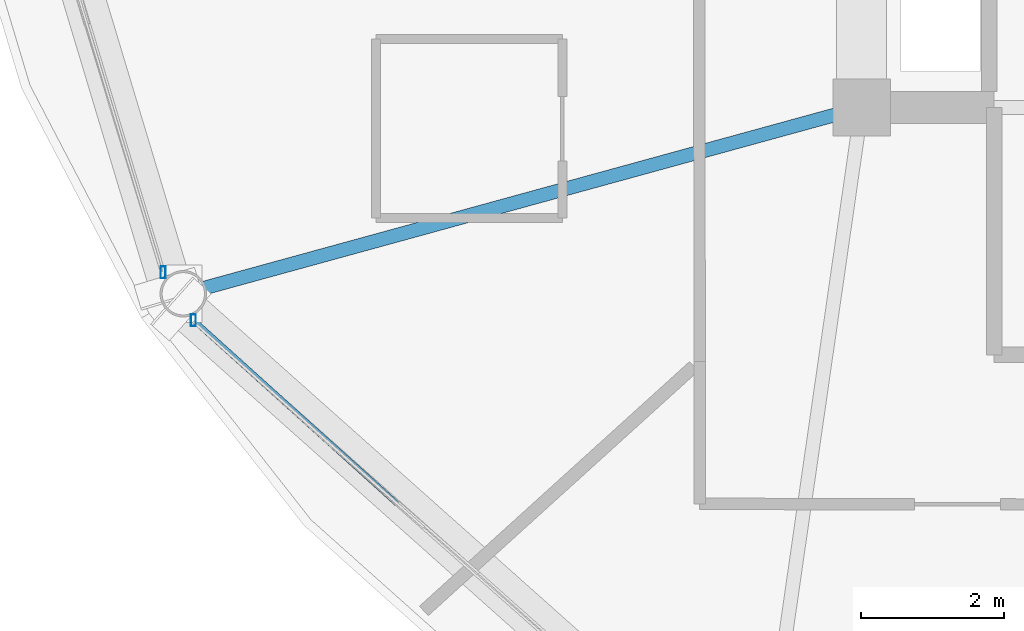
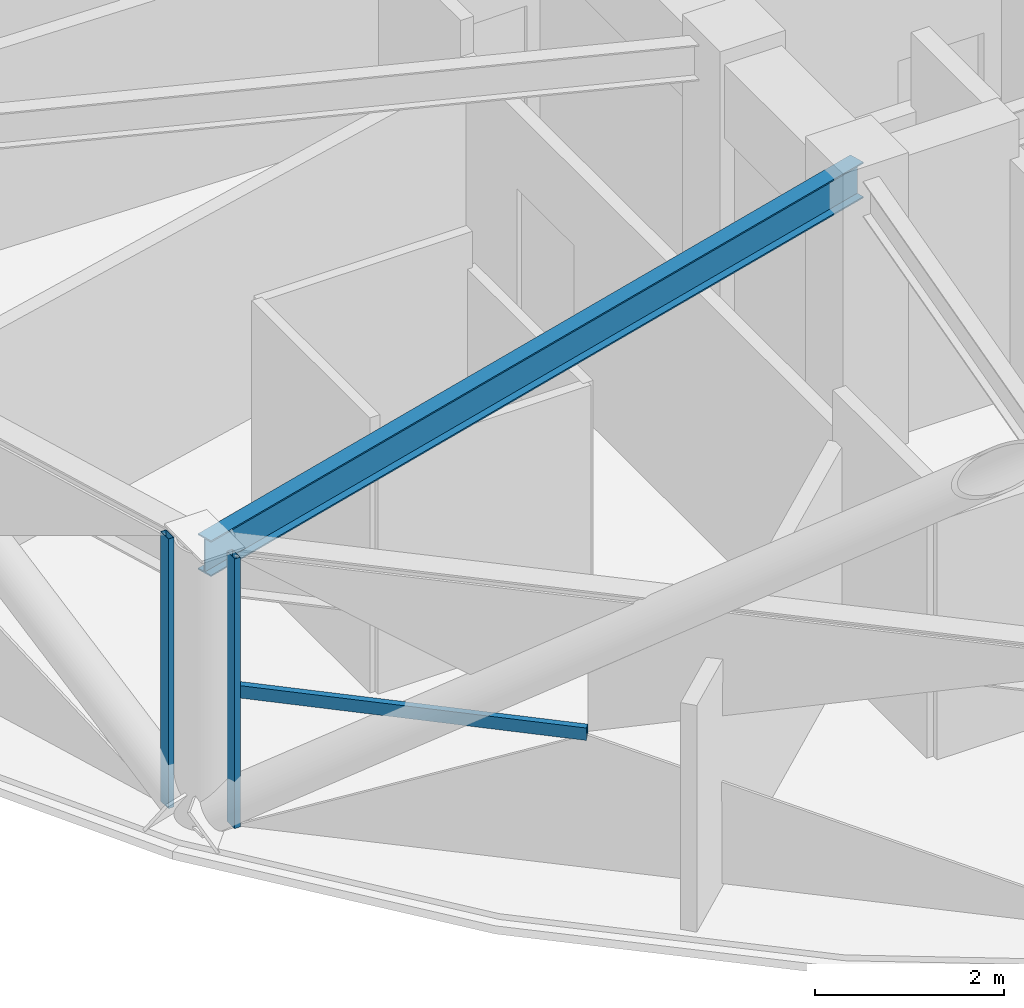
# One storey, part 3 of 29: 3 members, 1 beam, 2 elements without a shape of their own.
"""IFC4 building model written with IfcOpenShell, lengths in metres."""

from ifc_helpers import new_model, si_unit, direction, frame, origin, origin_2d, place, context, subcontext, project, spatial, hollow_rectangle, i_section, extrude, material, layer, layer_set, material_profile, profile_set, type_object, element, aggregate, save


model = new_model("IFC4")

# Units and contexts
model_context = context("Model", 3, precision=1e-05, world=origin(), true_north=direction((0.0, 1.0)))
body_context = subcontext(model_context, "Body", "Model", "MODEL_VIEW")
ifc_project = project(units=[si_unit("LENGTHUNIT", "METRE"), si_unit("AREAUNIT", "SQUARE_METRE"), si_unit("VOLUMEUNIT", "CUBIC_METRE"), si_unit("PLANEANGLEUNIT", "RADIAN"), si_unit("MASSUNIT", "GRAM", prefix="KILO")], contexts=[model_context])

# Site, building, storey
site_placement = place(None, origin())
site = spatial("IfcSite", under=ifc_project, at=site_placement, CompositionType="ELEMENT")
building_placement = place(site_placement, origin())
building = spatial("IfcBuilding", under=site, at=building_placement, Name="Vantalir Tower", CompositionType="ELEMENT")
storey_placement = place(building_placement, frame((0.0, 0.0, 219.89990234375)))
storey = spatial("IfcBuildingStorey", under=building, at=storey_placement, Name="L55", CompositionType="ELEMENT", Elevation=219.89990234375)

# Beam
ifc_material_1 = material(Name="Steel S355", Category="steel")
ifc_material_profile_1 = material_profile(ifc_material_1, i_section(OverallWidth=0.19189453125, OverallDepth=0.462890625, WebThickness=0.010498046875, FlangeThickness=0.017578125, at=origin_2d()), Name="Steel S355")
ifc_profile_set_1 = profile_set([ifc_material_profile_1], Name="Steel S355")
beam_type = type_object("IfcBeamType", Name="BM-RB-457x191", PredefinedType="BEAM", material=ifc_profile_set_1)
beam_placement = place(storey_placement, frame((12.43603515625, 15.201904296875, 3.338134765625), z_axis=(0.964320419913, 0.264737847196, 0.0), x_axis=(-0.264737847196, 0.964320419913, 0.0)))
element("IfcBeam", 1, at=beam_placement, inside=storey, type_object=beam_type, Name="L55 Radial Floor Beam 08", PredefinedType="BEAM", context=body_context, shape_type="SweptSolid", body=[
    extrude(i_section(OverallWidth=0.19189453125, OverallDepth=0.462890625, WebThickness=0.010498046875, FlangeThickness=0.017578125, at=origin_2d()), origin(), (0.0, 0.0, 1.0), 9.81396484375),
])

# Curtain wall, member
ifc_material_2 = material(Name="Champagne-silver PVDF aluminium and double-silver Low-E glass", Category="aluminium")
ifc_layer = layer(ifc_material_2, 0.2099609375)
ifc_layer_set = layer_set([ifc_layer], Name="Champagne-silver PVDF aluminium and double-silver Low-E glass")
curtain_wall_type = type_object("IfcCurtainWallType", Name="CW-DIAMOND-Z3", PredefinedType="USERDEFINED", material=ifc_layer_set)
curtain_wall_1_placement = place(storey_placement, origin())
curtain_wall_1 = element("IfcCurtainWall", 2, at=curtain_wall_1_placement, inside=storey, type_object=curtain_wall_type, Name="L55 Quilted Pyramid-Diamond Curtain Wall S07", ObjectType="UNITISED CURTAIN WALL", PredefinedType="USERDEFINED")
ifc_material_3 = material(Name="Champagne-silver PVDF aluminium 6063-T6", Category="aluminium")
ifc_material_profile_2 = material_profile(ifc_material_3, hollow_rectangle(XDim=0.070068359375, YDim=0.1650390625, WallThickness=0.00390625, at=origin_2d()), Name="Champagne-silver PVDF aluminium 6063-T6")
ifc_profile_set_2 = profile_set([ifc_material_profile_2], Name="Champagne-silver PVDF aluminium 6063-T6")
member_type_1 = type_object("IfcMemberType", Name="CWM-165x70", PredefinedType="MULLION", material=ifc_profile_set_2)
member_1_placement = place(storey_placement, frame((12.154052734375, 15.5, 0.045166015625), z_axis=(0.0, 0.0, 1.0), x_axis=(1.0, 0.0, 0.0)))
member_1 = element("IfcMember", 3, at=member_1_placement, type_object=member_type_1, Name="CW-L55-S07 Mullion 2", PredefinedType="MULLION", context=body_context, shape_type="SweptSolid", body=[
    extrude(hollow_rectangle(XDim=0.070068359375, YDim=0.1650390625, WallThickness=0.00390625, at=origin_2d()), origin(), (0.0, 0.0, 1.0), 3.47998046875),
])
aggregate(curtain_wall_1, [member_1])

# Curtain wall, members
curtain_wall_2_placement = place(storey_placement, origin())
curtain_wall_2 = element("IfcCurtainWall", 4, at=curtain_wall_2_placement, inside=storey, type_object=curtain_wall_type, Name="L55 Quilted Pyramid-Diamond Curtain Wall S08", ObjectType="UNITISED CURTAIN WALL", PredefinedType="USERDEFINED")
member_2_placement = place(storey_placement, frame((12.577880859375, 14.833984375, 0.045166015625), z_axis=(0.0, 0.0, 1.0), x_axis=(1.0, 0.0, 0.0)))
member_2 = element("IfcMember", 5, at=member_2_placement, type_object=member_type_1, Name="CW-L55-S08 Mullion 1", PredefinedType="MULLION", context=body_context, shape_type="SweptSolid", body=[
    extrude(hollow_rectangle(XDim=0.070068359375, YDim=0.1650390625, WallThickness=0.00390625, at=origin_2d()), origin(), (0.0, 0.0, 1.0), 3.47998046875),
])
ifc_material_profile_3 = material_profile(ifc_material_3, hollow_rectangle(XDim=0.074951171875, YDim=0.159912109375, WallThickness=0.00390625, at=origin_2d()), Name="Champagne-silver PVDF aluminium 6063-T6")
ifc_profile_set_3 = profile_set([ifc_material_profile_3], Name="Champagne-silver PVDF aluminium 6063-T6")
member_type_2 = type_object("IfcMemberType", Name="CWT-160x75", PredefinedType="USERDEFINED", material=ifc_profile_set_3)
member_3_placement = place(storey_placement, frame((12.577880859375, 14.833984375, 1.78515625), z_axis=(0.742559753379, -0.669779824018, 0.0), x_axis=(0.669779824018, 0.742559753379, 0.0)))
member_3 = element("IfcMember", 6, at=member_3_placement, type_object=member_type_2, Name="CW-L55-S08 Pyramid Fold Ridge Transom", ObjectType="TRANSOM", PredefinedType="USERDEFINED", context=body_context, shape_type="SweptSolid", body=[
    extrude(hollow_rectangle(XDim=0.074951171875, YDim=0.159912109375, WallThickness=0.00390625, at=origin_2d()), origin(), (0.0, 0.0, 1.0), 3.82080078125),
])
aggregate(curtain_wall_2, [member_2, member_3])

save(model, "model.ifc")
